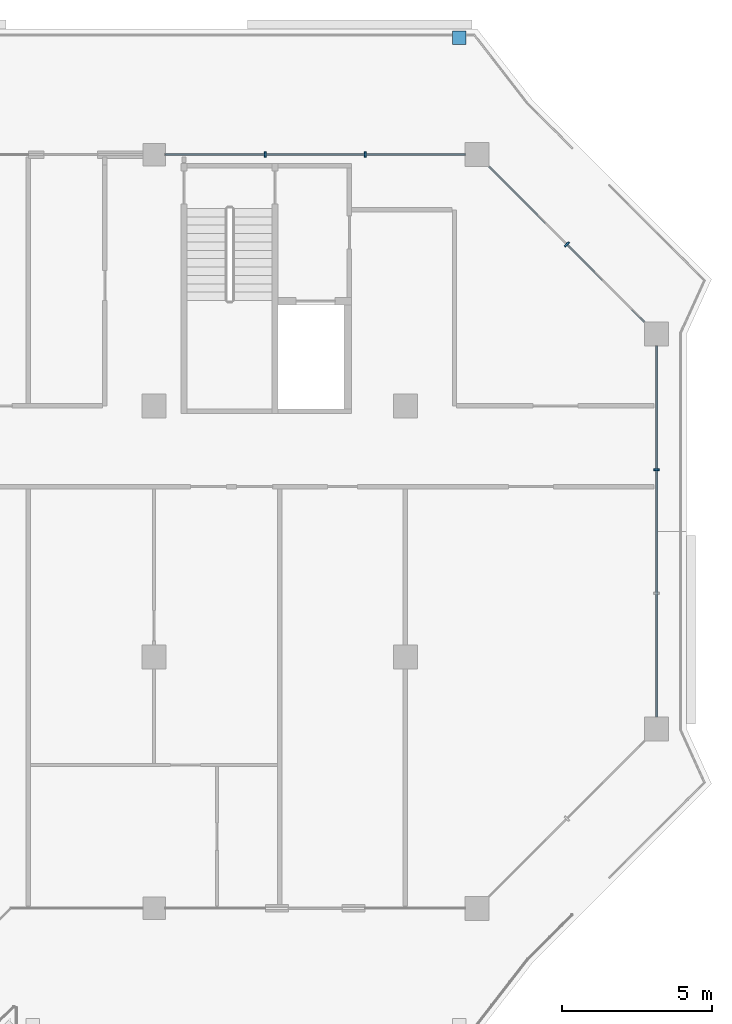
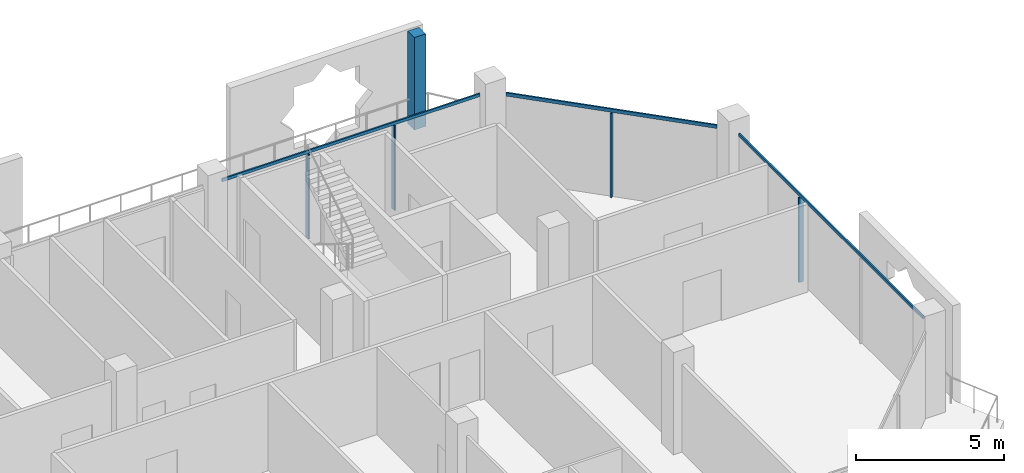
# One storey, part 8 of 20: 8 members, 4 elements without a shape of their own.
"""IFC4 building model written with IfcOpenShell, lengths in metres."""

from ifc_helpers import new_model, si_unit, direction, frame, origin, origin_2d, place, context, subcontext, project, spatial, rectangle, extrude, material, layer, layer_set, material_profile, profile_set, type_object, element, aggregate, save


model = new_model("IFC4")

# Units and contexts
model_context = context("Model", 3, precision=1e-05, world=origin(), true_north=direction((0.0, 1.0)))
body_context = subcontext(model_context, "Body", "Model", "MODEL_VIEW")
ifc_project = project(units=[si_unit("LENGTHUNIT", "METRE"), si_unit("AREAUNIT", "SQUARE_METRE"), si_unit("VOLUMEUNIT", "CUBIC_METRE"), si_unit("PLANEANGLEUNIT", "RADIAN"), si_unit("MASSUNIT", "GRAM", prefix="KILO")], contexts=[model_context])

# Site, building, storey
site_placement = place(None, origin())
site = spatial("IfcSite", under=ifc_project, at=site_placement, CompositionType="ELEMENT")
building_placement = place(site_placement, origin())
building = spatial("IfcBuilding", under=site, at=building_placement, Name="Kawkab Arch Medical Tower", CompositionType="ELEMENT")
storey_placement = place(building_placement, frame((0.0, 0.0, 290.199951171875)))
storey = spatial("IfcBuildingStorey", under=building, at=storey_placement, Name="L67", CompositionType="ELEMENT", Elevation=290.199951171875)

# Curtain wall, member
ifc_material_1 = material(Name="Bronze anodised aluminium curtain wall frame", Category="aluminium")
ifc_layer_1 = layer(ifc_material_1, 0.159912109375)
ifc_layer_set_1 = layer_set([ifc_layer_1], Name="Bronze anodised aluminium curtain wall frame")
curtain_wall_type_1 = type_object("IfcCurtainWallType", Name="CW1 ward curtain wall", PredefinedType="NOTDEFINED", material=ifc_layer_set_1)
placement = place(storey_placement, origin())
curtain_wall_1 = element("IfcCurtainWall", 1, at=placement, inside=storey, type_object=curtain_wall_type_1, Name="CW1 Ward curtain wall R13", PredefinedType="NOTDEFINED")
ifc_material_2 = material(Name="Bronze anodised aluminium curtain wall frame", Category="aluminium")
ifc_material_profile_1 = material_profile(ifc_material_2, rectangle(XDim=0.179931640625, YDim=0.06005859375, at=origin_2d()), Name="AL 60x180")
ifc_profile_set_1 = profile_set([ifc_material_profile_1], Name="Bronze anodised aluminium curtain wall frame")
member_type_1 = type_object("IfcMemberType", Name="CW1 mullion 60 x 180", PredefinedType="MULLION", material=ifc_profile_set_1)
member_1_placement = place(storey_placement, frame((58.800048828125, -10.533447265625, 0.0), z_axis=(0.0, 0.0, 1.0), x_axis=(-1.0, 0.0, 0.0)))
member_1 = element("IfcMember", 2, at=member_1_placement, type_object=member_type_1, Name="CW1 mullion 1.2", PredefinedType="MULLION", context=body_context, shape_type="SweptSolid", body=[
    extrude(rectangle(XDim=0.179931640625, YDim=0.06005859375, at=origin_2d()), origin(), (0.0, 0.0, 1.0), 3.47998046875),
])

# Curtain wall, members
curtain_wall_2 = element("IfcCurtainWall", 3, at=placement, inside=storey, type_object=curtain_wall_type_1, Name="CW1 Ward curtain wall R15", PredefinedType="NOTDEFINED")
member_2_placement = place(storey_placement, frame((49.058349609375, 0.0, 0.0), z_axis=(0.0, 0.0, 1.0), x_axis=(0.0, -1.0, 0.0)))
member_2 = element("IfcMember", 4, at=member_2_placement, type_object=member_type_1, Name="CW1 mullion 1.1", PredefinedType="MULLION", context=body_context, shape_type="SweptSolid", body=[
    extrude(rectangle(XDim=0.179931640625, YDim=0.06005859375, at=origin_2d()), origin(), (0.0, 0.0, 1.0), 3.47998046875),
])
member_3_placement = place(storey_placement, frame((45.716552734375, 0.0, 0.0), z_axis=(0.0, 0.0, 1.0), x_axis=(0.0, -1.0, 0.0)))
member_3 = element("IfcMember", 5, at=member_3_placement, type_object=member_type_1, Name="CW1 mullion 1.2", PredefinedType="MULLION", context=body_context, shape_type="SweptSolid", body=[
    extrude(rectangle(XDim=0.179931640625, YDim=0.06005859375, at=origin_2d()), origin(), (0.0, 0.0, 1.0), 3.47998046875),
])

# Member
ifc_material_3 = material(Name="Bronze anodised aluminium curtain wall frame", Category="aluminium")
ifc_material_profile_2 = material_profile(ifc_material_3, rectangle(XDim=0.06005859375, YDim=0.1201171875, at=origin_2d()), Name="AL 60x120")
ifc_profile_set_2 = profile_set([ifc_material_profile_2], Name="Bronze anodised aluminium curtain wall frame")
member_type_2 = type_object("IfcMemberType", Name="CW1 transom 120 x 60", PredefinedType="USERDEFINED", material=ifc_profile_set_2)
member_4_placement = place(storey_placement, frame((58.800048828125, -18.800048828125, 3.5400390625), z_axis=(0.0, 1.0, 0.0), x_axis=(-1.0, 0.0, 0.0)))
member_4 = element("IfcMember", 6, at=member_4_placement, type_object=member_type_2, Name="CW1 transom 1", ObjectType="TRANSOM", PredefinedType="USERDEFINED", context=body_context, shape_type="SweptSolid", body=[
    extrude(rectangle(XDim=0.06005859375, YDim=0.1201171875, at=origin_2d()), origin(), (0.0, 0.0, 1.0), 12.400146484375),
])

aggregate(curtain_wall_1, [member_4, member_1])

member_5_placement = place(storey_placement, frame((52.39990234375, 0.0, 3.5400390625), z_axis=(-1.0, 0.0, 0.0), x_axis=(0.0, -1.0, 0.0)))
member_5 = element("IfcMember", 7, at=member_5_placement, type_object=member_type_2, Name="CW1 transom 1", ObjectType="TRANSOM", PredefinedType="USERDEFINED", context=body_context, shape_type="SweptSolid", body=[
    extrude(rectangle(XDim=0.06005859375, YDim=0.1201171875, at=origin_2d()), origin(), (0.0, 0.0, 1.0), 10.02490234375),
])

aggregate(curtain_wall_2, [member_5, member_2, member_3])

# Curtain wall, members
ifc_material_4 = material(Name="Bronze anodised aluminium curtain wall frame", Category="aluminium")
ifc_layer_2 = layer(ifc_material_4, 0.159912109375)
ifc_layer_set_2 = layer_set([ifc_layer_2], Name="Bronze anodised aluminium curtain wall frame")
curtain_wall_type_2 = type_object("IfcCurtainWallType", Name="CW2 chamfer curtain wall", PredefinedType="NOTDEFINED", material=ifc_layer_set_2)
curtain_wall_3 = element("IfcCurtainWall", 8, at=placement, inside=storey, type_object=curtain_wall_type_2, Name="CW2 Chamfer curtain wall R14", PredefinedType="NOTDEFINED")
ifc_material_5 = material(Name="Bronze anodised aluminium curtain wall frame", Category="aluminium")
ifc_material_profile_3 = material_profile(ifc_material_5, rectangle(XDim=0.199951171875, YDim=0.06005859375, at=origin_2d()), Name="AL 60x200")
ifc_profile_set_3 = profile_set([ifc_material_profile_3], Name="Bronze anodised aluminium curtain wall frame")
member_type_3 = type_object("IfcMemberType", Name="CW2 mullion 60 x 200", PredefinedType="MULLION", material=ifc_profile_set_3)
member_6_placement = place(storey_placement, frame((55.800048828125, -3.0, 0.0), z_axis=(0.0, 0.0, 1.0), x_axis=(-0.707106781187, -0.707106781187, 0.0)))
member_6 = element("IfcMember", 9, at=member_6_placement, type_object=member_type_3, Name="CW2 mullion 1.1", PredefinedType="MULLION", context=body_context, shape_type="SweptSolid", body=[
    extrude(rectangle(XDim=0.199951171875, YDim=0.06005859375, at=origin_2d()), origin(), (0.0, 0.0, 1.0), 3.4599609375),
])
ifc_material_6 = material(Name="Bronze anodised aluminium curtain wall frame", Category="aluminium")
ifc_material_profile_4 = material_profile(ifc_material_6, rectangle(XDim=0.06005859375, YDim=0.139892578125, at=origin_2d()), Name="AL 60x140")
ifc_profile_set_4 = profile_set([ifc_material_profile_4], Name="Bronze anodised aluminium curtain wall frame")
member_type_4 = type_object("IfcMemberType", Name="CW2 transom 140 x 60", PredefinedType="USERDEFINED", material=ifc_profile_set_4)
member_7_placement = place(storey_placement, frame((58.39990234375, -5.60009765625, 3.530029296875), z_axis=(-0.707090181851, 0.707123380132, 0.0), x_axis=(-0.707123380132, -0.707090181851, 0.0)))
member_7 = element("IfcMember", 10, at=member_7_placement, type_object=member_type_4, Name="CW2 transom 1", ObjectType="TRANSOM", PredefinedType="USERDEFINED", context=body_context, shape_type="SweptSolid", body=[
    extrude(rectangle(XDim=0.06005859375, YDim=0.139892578125, at=origin_2d()), origin(), (0.0, 0.0, 1.0), 7.35400390625),
])
aggregate(curtain_wall_3, [member_7, member_6])

# Curtain wall, member
ifc_material_7 = material(Name="Bronze anodised aluminium climber frame, planted", Category="aluminium")
ifc_layer_3 = layer(ifc_material_7, 0.449951171875)
ifc_layer_set_3 = layer_set([ifc_layer_3], Name="Bronze anodised aluminium climber frame, planted")
curtain_wall_type_3 = type_object("IfcCurtainWallType", Name="Planted climber frame", PredefinedType="NOTDEFINED", material=ifc_layer_set_3)
curtain_wall_4 = element("IfcCurtainWall", 11, at=placement, inside=storey, type_object=curtain_wall_type_3, Name="Planted climber frame L67", PredefinedType="NOTDEFINED")
ifc_material_8 = material(Name="Bronze anodised aluminium climber frame, planted", Category="aluminium")
ifc_material_profile_5 = material_profile(ifc_material_8, rectangle(XDim=0.449951171875, YDim=0.449951171875, at=origin_2d()), Name="Post 450x450")
ifc_profile_set_5 = profile_set([ifc_material_profile_5], Name="Bronze anodised aluminium climber frame, planted")
member_type_5 = type_object("IfcMemberType", Name="Planted climber post 450 x 450", PredefinedType="MULLION", material=ifc_profile_set_5)
member_8_placement = place(storey_placement, frame((52.202880859375, 3.89990234375, 0.0), z_axis=(0.0, 0.0, 1.0), x_axis=(1.0, 0.0, 0.0)))
member_8 = element("IfcMember", 12, at=member_8_placement, type_object=member_type_5, Name="Planted climber post L67.LOG-01-01.4", PredefinedType="MULLION", context=body_context, shape_type="SweptSolid", body=[
    extrude(rectangle(XDim=0.449951171875, YDim=0.449951171875, at=origin_2d()), origin(), (0.0, 0.0, 1.0), 3.800048828125),
])
aggregate(curtain_wall_4, [member_8])

save(model, "model.ifc")
